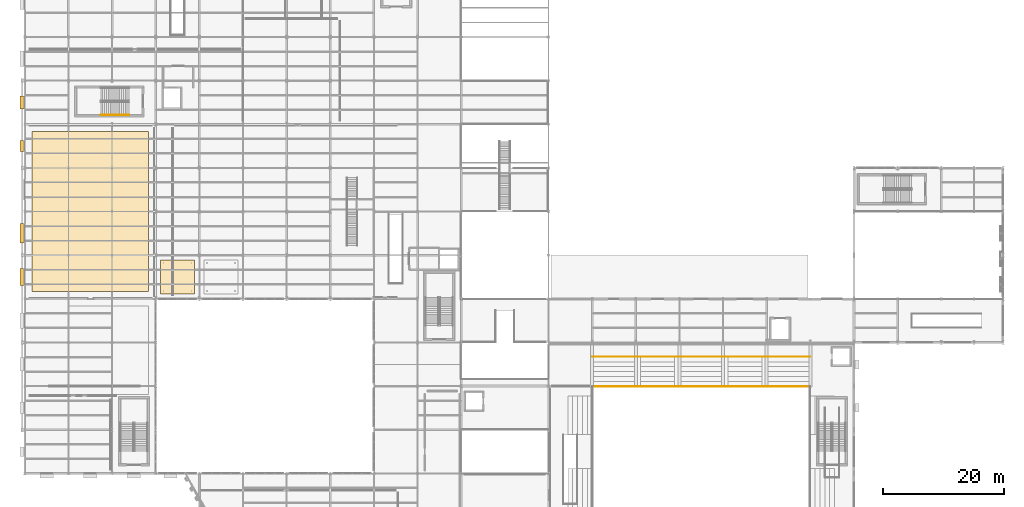
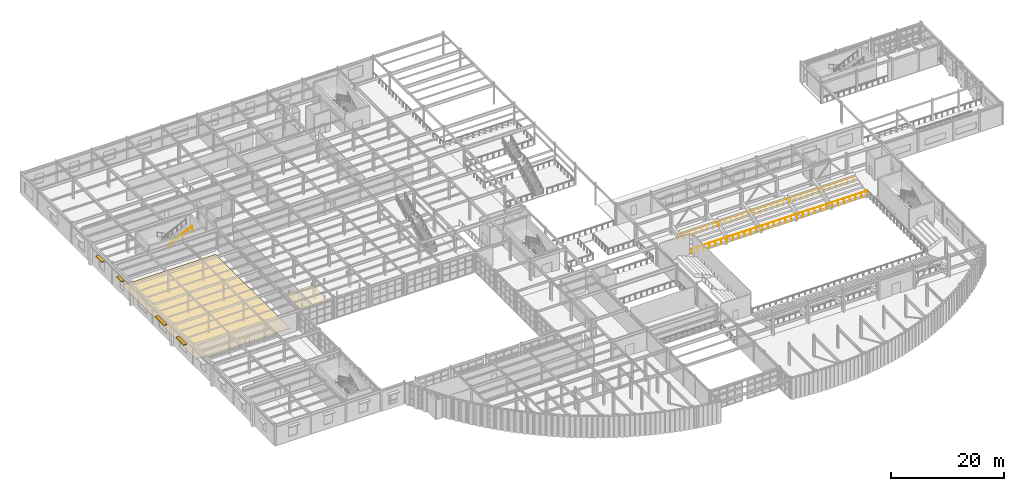
# One storey, part 114 of 121: 4 shading devices, 3 railings, 2 coverings.
"""IFC4 building model written with IfcOpenShell, lengths in metres."""

from ifc_helpers import new_model, si_unit, direction, frame, origin, origin_2d, place, context, subcontext, project, spatial, polyline, rectangle, circle, outline, extrude, material, layer, layer_set, type_object, element, save


model = new_model("IFC4")

# Units and contexts
model_context = context("Model", 3, precision=1e-05, world=origin(), true_north=direction((0.0, 1.0)))
body_context = subcontext(model_context, "Body", "Model", "MODEL_VIEW")
ifc_project = project(units=[si_unit("LENGTHUNIT", "METRE"), si_unit("AREAUNIT", "SQUARE_METRE"), si_unit("VOLUMEUNIT", "CUBIC_METRE"), si_unit("PLANEANGLEUNIT", "RADIAN"), si_unit("MASSUNIT", "GRAM", prefix="KILO")], contexts=[model_context])

# Site, building, storey
site_placement = place(None, origin())
site = spatial("IfcSite", under=ifc_project, at=site_placement, CompositionType="ELEMENT")
building_placement = place(site_placement, origin())
building = spatial("IfcBuilding", under=site, at=building_placement, Name="Solvadek Multi-Sports Hall", CompositionType="ELEMENT")
storey_placement = place(building_placement, frame((0.0, 0.0, 4.800048828125)))
storey = spatial("IfcBuildingStorey", under=building, at=storey_placement, Name="L01", CompositionType="ELEMENT", Elevation=4.800048828125)

# Shading devices
ifc_material_1 = material(Name="Perforated champagne-bronze anodised aluminium", Category="aluminium")
shading_device_type_1 = type_object("IfcShadingDeviceType", Name="ENV-SHD-CHAJJA1", PredefinedType="JALOUSIE", material=ifc_material_1)
shading_device_1_placement = place(storey_placement, frame((-0.469482421875, 52.800048828125, 3.119873046875), z_axis=(0.0, 0.0, 1.0), x_axis=(0.0, 1.0, 0.0)))
element("IfcShadingDevice", 1, at=shading_device_1_placement, inside=storey, type_object=shading_device_type_1, Name="L01 Chajja Solar Shading Hood #11", PredefinedType="JALOUSIE", context=body_context, shape_type="SweptSolid", body=[
    extrude(rectangle(XDim=2.800048828125, YDim=0.639892578125, at=origin_2d()), origin(), (0.0, 0.0, 1.0), 0.1201171875),
])
shading_device_2_placement = place(storey_placement, frame((-0.469482421875, 60.0, 3.119873046875), z_axis=(0.0, 0.0, 1.0), x_axis=(0.0, 1.0, 0.0)))
element("IfcShadingDevice", 2, at=shading_device_2_placement, inside=storey, type_object=shading_device_type_1, Name="L01 Chajja Solar Shading Hood #14", PredefinedType="JALOUSIE", context=body_context, shape_type="SweptSolid", body=[
    extrude(rectangle(XDim=3.199951171875, YDim=0.639892578125, at=origin_2d()), origin(), (0.0, 0.0, 1.0), 0.1201171875),
])
shading_device_type_2 = type_object("IfcShadingDeviceType", Name="ENV-SHD-CHAJJA2", PredefinedType="JALOUSIE", material=ifc_material_1)
shading_device_3_placement = place(storey_placement, frame((-0.469482421875, 74.39990234375, 3.419921875), z_axis=(0.0, 0.0, 1.0), x_axis=(0.0, 1.0, 0.0)))
element("IfcShadingDevice", 3, at=shading_device_3_placement, inside=storey, type_object=shading_device_type_2, Name="L01 Chajja Solar Shading Hood #19", PredefinedType="JALOUSIE", context=body_context, shape_type="SweptSolid", body=[
    extrude(rectangle(XDim=1.800048828125, YDim=0.639892578125, at=origin_2d()), origin(), (0.0, 0.0, 1.0), 0.1201171875),
])
shading_device_4_placement = place(storey_placement, frame((-0.469482421875, 81.60009765625, 3.419921875), z_axis=(0.0, 0.0, 1.0), x_axis=(0.0, 1.0, 0.0)))
element("IfcShadingDevice", 4, at=shading_device_4_placement, inside=storey, type_object=shading_device_type_2, Name="L01 Chajja Solar Shading Hood #21", PredefinedType="JALOUSIE", context=body_context, shape_type="SweptSolid", body=[
    extrude(rectangle(XDim=2.199951171875, YDim=0.639892578125, at=origin_2d()), origin(), (0.0, 0.0, 1.0), 0.1201171875),
])

# Coverings
ifc_material_2 = material(Name="Acoustic mineral-wool ceiling tile")
ifc_layer_1 = layer(ifc_material_2, 0.02490234375, Name="Acoustic mineral-wool ceiling tile")
ifc_layer_set_1 = layer_set([ifc_layer_1], Name="Acoustic mineral-wool ceiling tile")
covering_type_1 = type_object("IfcCoveringType", Name="INT-COV-CEIL", PredefinedType="CEILING", material=ifc_layer_set_1)
covering_1_placement = place(storey_placement, frame((0.0, 0.0, 3.599853515625)))
element("IfcCovering", 5, at=covering_1_placement, inside=storey, type_object=covering_type_1, Name="L01 Acoustic Suspended Ceiling Raft #4", PredefinedType="CEILING", context=body_context, shape_type="SweptSolid", body=[
    extrude(outline(polyline([(22.39990234375, 50.0), (28.0, 50.0), (28.0, 55.60009765625), (22.39990234375, 55.60009765625), (22.39990234375, 50.0)])), origin(), (0.0, 0.0, 1.0), 0.025146484375),
])
ifc_material_3 = material(Name="Sprung maple sports flooring")
ifc_layer_2 = layer(ifc_material_3, 0.034912109375, Name="Sprung maple sports flooring")
ifc_layer_set_2 = layer_set([ifc_layer_2], Name="Sprung maple sports flooring")
covering_type_2 = type_object("IfcCoveringType", Name="INT-COV-MAPLE", PredefinedType="FLOORING", material=ifc_layer_set_2)
covering_2_placement = place(storey_placement, origin())
element("IfcCovering", 6, at=covering_2_placement, inside=storey, type_object=covering_type_2, Name="Dance Studio Sprung Hardwood Floor", PredefinedType="FLOORING", context=body_context, shape_type="SweptSolid", body=[
    extrude(outline(polyline([(1.199951171875, 50.39990234375), (20.39990234375, 50.39990234375), (20.39990234375, 76.800048828125), (1.199951171875, 76.800048828125), (1.199951171875, 50.39990234375)])), origin(), (0.0, 0.0, 1.0), 0.034912109375),
])

# Railings
ifc_material_4 = material(Name="Steel E250 (250 MPa)", Category="steel")
railing_type_1 = type_object("IfcRailingType", Name="INT-RAL-GRD115", PredefinedType="BALUSTRADE", material=ifc_material_4)
railing_1_placement = place(storey_placement, frame((93.659912109375, 34.739990234375, 0.0)))
element("IfcRailing", 7, at=railing_1_placement, inside=storey, type_object=railing_type_1, Name="L01 Void Edge Balustrade Guard #40", PredefinedType="BALUSTRADE", context=body_context, shape_type="SweptSolid", body=[
    extrude(circle(Radius=0.02392578125, at=origin_2d()), frame((0.0, 0.0, 1.1259765625), z_axis=(1.0, 0.0, 0.0), x_axis=(0.0, 1.0, 0.0)), (0.0, 0.0, 1.0), 35.880126953125),
    extrude(circle(Radius=0.02099609375, at=origin_2d()), origin(), (0.0, 0.0, 1.0), 1.101806640625),
    extrude(circle(Radius=0.02099609375, at=origin_2d()), frame((1.196044921875, 0.0, 0.0)), (0.0, 0.0, 1.0), 1.101806640625),
    extrude(circle(Radius=0.02099609375, at=origin_2d()), frame((2.39208984375, 0.0, 0.0)), (0.0, 0.0, 1.0), 1.101806640625),
    extrude(circle(Radius=0.02099609375, at=origin_2d()), frame((3.587890625, 0.0, 0.0)), (0.0, 0.0, 1.0), 1.101806640625),
    extrude(circle(Radius=0.02099609375, at=origin_2d()), frame((4.783935546875, 0.0, 0.0)), (0.0, 0.0, 1.0), 1.101806640625),
    extrude(circle(Radius=0.02099609375, at=origin_2d()), frame((5.97998046875, 0.0, 0.0)), (0.0, 0.0, 1.0), 1.101806640625),
    extrude(circle(Radius=0.02099609375, at=origin_2d()), frame((7.176025390625, 0.0, 0.0)), (0.0, 0.0, 1.0), 1.101806640625),
    extrude(circle(Radius=0.02099609375, at=origin_2d()), frame((8.3720703125, 0.0, 0.0)), (0.0, 0.0, 1.0), 1.101806640625),
    extrude(circle(Radius=0.02099609375, at=origin_2d()), frame((9.568115234375, 0.0, 0.0)), (0.0, 0.0, 1.0), 1.101806640625),
    extrude(circle(Radius=0.02099609375, at=origin_2d()), frame((10.76416015625, 0.0, 0.0)), (0.0, 0.0, 1.0), 1.101806640625),
    extrude(circle(Radius=0.02099609375, at=origin_2d()), frame((11.9599609375, 0.0, 0.0)), (0.0, 0.0, 1.0), 1.101806640625),
    extrude(circle(Radius=0.02099609375, at=origin_2d()), frame((13.156005859375, 0.0, 0.0)), (0.0, 0.0, 1.0), 1.101806640625),
    extrude(circle(Radius=0.02099609375, at=origin_2d()), frame((14.35205078125, 0.0, 0.0)), (0.0, 0.0, 1.0), 1.101806640625),
    extrude(circle(Radius=0.02099609375, at=origin_2d()), frame((15.548095703125, 0.0, 0.0)), (0.0, 0.0, 1.0), 1.101806640625),
    extrude(circle(Radius=0.02099609375, at=origin_2d()), frame((16.744140625, 0.0, 0.0)), (0.0, 0.0, 1.0), 1.101806640625),
    extrude(circle(Radius=0.02099609375, at=origin_2d()), frame((17.93994140625, 0.0, 0.0)), (0.0, 0.0, 1.0), 1.101806640625),
    extrude(circle(Radius=0.02099609375, at=origin_2d()), frame((19.135986328125, 0.0, 0.0)), (0.0, 0.0, 1.0), 1.101806640625),
    extrude(circle(Radius=0.02099609375, at=origin_2d()), frame((20.33203125, 0.0, 0.0)), (0.0, 0.0, 1.0), 1.101806640625),
    extrude(circle(Radius=0.02099609375, at=origin_2d()), frame((21.528076171875, 0.0, 0.0)), (0.0, 0.0, 1.0), 1.101806640625),
    extrude(circle(Radius=0.02099609375, at=origin_2d()), frame((22.72412109375, 0.0, 0.0)), (0.0, 0.0, 1.0), 1.101806640625),
    extrude(circle(Radius=0.02099609375, at=origin_2d()), frame((23.920166015625, 0.0, 0.0)), (0.0, 0.0, 1.0), 1.101806640625),
    extrude(circle(Radius=0.02099609375, at=origin_2d()), frame((25.1162109375, 0.0, 0.0)), (0.0, 0.0, 1.0), 1.101806640625),
    extrude(circle(Radius=0.02099609375, at=origin_2d()), frame((26.31201171875, 0.0, 0.0)), (0.0, 0.0, 1.0), 1.101806640625),
    extrude(circle(Radius=0.02099609375, at=origin_2d()), frame((27.508056640625, 0.0, 0.0)), (0.0, 0.0, 1.0), 1.101806640625),
    extrude(circle(Radius=0.02099609375, at=origin_2d()), frame((28.7041015625, 0.0, 0.0)), (0.0, 0.0, 1.0), 1.101806640625),
    extrude(circle(Radius=0.02099609375, at=origin_2d()), frame((29.900146484375, 0.0, 0.0)), (0.0, 0.0, 1.0), 1.101806640625),
    extrude(circle(Radius=0.02099609375, at=origin_2d()), frame((31.09619140625, 0.0, 0.0)), (0.0, 0.0, 1.0), 1.101806640625),
    extrude(circle(Radius=0.02099609375, at=origin_2d()), frame((32.2919921875, 0.0, 0.0)), (0.0, 0.0, 1.0), 1.101806640625),
    extrude(circle(Radius=0.02099609375, at=origin_2d()), frame((33.488037109375, 0.0, 0.0)), (0.0, 0.0, 1.0), 1.101806640625),
    extrude(circle(Radius=0.02099609375, at=origin_2d()), frame((34.68408203125, 0.0, 0.0)), (0.0, 0.0, 1.0), 1.101806640625),
    extrude(circle(Radius=0.02099609375, at=origin_2d()), frame((35.880126953125, 0.0, 0.0)), (0.0, 0.0, 1.0), 1.101806640625),
])
railing_2_placement = place(storey_placement, frame((93.659912109375, 39.659912109375, 0.0)))
element("IfcRailing", 8, at=railing_2_placement, inside=storey, type_object=railing_type_1, Name="L01 Void Edge Balustrade Guard #44", PredefinedType="BALUSTRADE", context=body_context, shape_type="SweptSolid", body=[
    extrude(circle(Radius=0.02392578125, at=origin_2d()), frame((0.0, 0.0, 1.1259765625), z_axis=(1.0, 0.0, 0.0), x_axis=(0.0, 1.0, 0.0)), (0.0, 0.0, 1.0), 35.880126953125),
    extrude(circle(Radius=0.02099609375, at=origin_2d()), origin(), (0.0, 0.0, 1.0), 1.101806640625),
    extrude(circle(Radius=0.02099609375, at=origin_2d()), frame((1.196044921875, 0.0, 0.0)), (0.0, 0.0, 1.0), 1.101806640625),
    extrude(circle(Radius=0.02099609375, at=origin_2d()), frame((2.39208984375, 0.0, 0.0)), (0.0, 0.0, 1.0), 1.101806640625),
    extrude(circle(Radius=0.02099609375, at=origin_2d()), frame((3.587890625, 0.0, 0.0)), (0.0, 0.0, 1.0), 1.101806640625),
    extrude(circle(Radius=0.02099609375, at=origin_2d()), frame((4.783935546875, 0.0, 0.0)), (0.0, 0.0, 1.0), 1.101806640625),
    extrude(circle(Radius=0.02099609375, at=origin_2d()), frame((5.97998046875, 0.0, 0.0)), (0.0, 0.0, 1.0), 1.101806640625),
    extrude(circle(Radius=0.02099609375, at=origin_2d()), frame((7.176025390625, 0.0, 0.0)), (0.0, 0.0, 1.0), 1.101806640625),
    extrude(circle(Radius=0.02099609375, at=origin_2d()), frame((8.3720703125, 0.0, 0.0)), (0.0, 0.0, 1.0), 1.101806640625),
    extrude(circle(Radius=0.02099609375, at=origin_2d()), frame((9.568115234375, 0.0, 0.0)), (0.0, 0.0, 1.0), 1.101806640625),
    extrude(circle(Radius=0.02099609375, at=origin_2d()), frame((10.76416015625, 0.0, 0.0)), (0.0, 0.0, 1.0), 1.101806640625),
    extrude(circle(Radius=0.02099609375, at=origin_2d()), frame((11.9599609375, 0.0, 0.0)), (0.0, 0.0, 1.0), 1.101806640625),
    extrude(circle(Radius=0.02099609375, at=origin_2d()), frame((13.156005859375, 0.0, 0.0)), (0.0, 0.0, 1.0), 1.101806640625),
    extrude(circle(Radius=0.02099609375, at=origin_2d()), frame((14.35205078125, 0.0, 0.0)), (0.0, 0.0, 1.0), 1.101806640625),
    extrude(circle(Radius=0.02099609375, at=origin_2d()), frame((15.548095703125, 0.0, 0.0)), (0.0, 0.0, 1.0), 1.101806640625),
    extrude(circle(Radius=0.02099609375, at=origin_2d()), frame((16.744140625, 0.0, 0.0)), (0.0, 0.0, 1.0), 1.101806640625),
    extrude(circle(Radius=0.02099609375, at=origin_2d()), frame((17.93994140625, 0.0, 0.0)), (0.0, 0.0, 1.0), 1.101806640625),
    extrude(circle(Radius=0.02099609375, at=origin_2d()), frame((19.135986328125, 0.0, 0.0)), (0.0, 0.0, 1.0), 1.101806640625),
    extrude(circle(Radius=0.02099609375, at=origin_2d()), frame((20.33203125, 0.0, 0.0)), (0.0, 0.0, 1.0), 1.101806640625),
    extrude(circle(Radius=0.02099609375, at=origin_2d()), frame((21.528076171875, 0.0, 0.0)), (0.0, 0.0, 1.0), 1.101806640625),
    extrude(circle(Radius=0.02099609375, at=origin_2d()), frame((22.72412109375, 0.0, 0.0)), (0.0, 0.0, 1.0), 1.101806640625),
    extrude(circle(Radius=0.02099609375, at=origin_2d()), frame((23.920166015625, 0.0, 0.0)), (0.0, 0.0, 1.0), 1.101806640625),
    extrude(circle(Radius=0.02099609375, at=origin_2d()), frame((25.1162109375, 0.0, 0.0)), (0.0, 0.0, 1.0), 1.101806640625),
    extrude(circle(Radius=0.02099609375, at=origin_2d()), frame((26.31201171875, 0.0, 0.0)), (0.0, 0.0, 1.0), 1.101806640625),
    extrude(circle(Radius=0.02099609375, at=origin_2d()), frame((27.508056640625, 0.0, 0.0)), (0.0, 0.0, 1.0), 1.101806640625),
    extrude(circle(Radius=0.02099609375, at=origin_2d()), frame((28.7041015625, 0.0, 0.0)), (0.0, 0.0, 1.0), 1.101806640625),
    extrude(circle(Radius=0.02099609375, at=origin_2d()), frame((29.900146484375, 0.0, 0.0)), (0.0, 0.0, 1.0), 1.101806640625),
    extrude(circle(Radius=0.02099609375, at=origin_2d()), frame((31.09619140625, 0.0, 0.0)), (0.0, 0.0, 1.0), 1.101806640625),
    extrude(circle(Radius=0.02099609375, at=origin_2d()), frame((32.2919921875, 0.0, 0.0)), (0.0, 0.0, 1.0), 1.101806640625),
    extrude(circle(Radius=0.02099609375, at=origin_2d()), frame((33.488037109375, 0.0, 0.0)), (0.0, 0.0, 1.0), 1.101806640625),
    extrude(circle(Radius=0.02099609375, at=origin_2d()), frame((34.68408203125, 0.0, 0.0)), (0.0, 0.0, 1.0), 1.101806640625),
    extrude(circle(Radius=0.02099609375, at=origin_2d()), frame((35.880126953125, 0.0, 0.0)), (0.0, 0.0, 1.0), 1.101806640625),
])
railing_type_2 = type_object("IfcRailingType", Name="INT-RAL-HND090", PredefinedType="HANDRAIL", material=ifc_material_4)
railing_3_placement = place(storey_placement, frame((12.550048828125, 79.550048828125, 2.550048828125)))
element("IfcRailing", 9, at=railing_3_placement, inside=storey, type_object=railing_type_2, Name="L01 ST-02 stair handrail 2", PredefinedType="HANDRAIL", context=body_context, shape_type="SweptSolid", body=[
    extrude(circle(Radius=0.02392578125, at=origin_2d()), frame((0.0, 0.0, 0.8759765625), z_axis=(0.900155664878, 0.0, 0.435568340204), x_axis=(0.0, 1.0, 0.0)), (0.0, 0.0, 1.0), 5.165771484375),
    extrude(circle(Radius=0.02099609375, at=origin_2d()), origin(), (0.0, 0.0, 1.0), 0.851806640625),
    extrude(circle(Radius=0.02099609375, at=origin_2d()), frame((0.929931640625, 0.0, 0.449951171875)), (0.0, 0.0, 1.0), 0.851806640625),
    extrude(circle(Radius=0.02099609375, at=origin_2d()), frame((1.85986328125, 0.0, 0.89990234375)), (0.0, 0.0, 1.0), 0.851806640625),
    extrude(circle(Radius=0.02099609375, at=origin_2d()), frame((2.7900390625, 0.0, 1.35009765625)), (0.0, 0.0, 1.0), 0.851806640625),
    extrude(circle(Radius=0.02099609375, at=origin_2d()), frame((3.719970703125, 0.0, 1.800048828125)), (0.0, 0.0, 1.0), 0.851806640625),
    extrude(circle(Radius=0.02099609375, at=origin_2d()), frame((4.64990234375, 0.0, 2.25)), (0.0, 0.0, 1.0), 0.851806640625),
])

save(model, "model.ifc")
